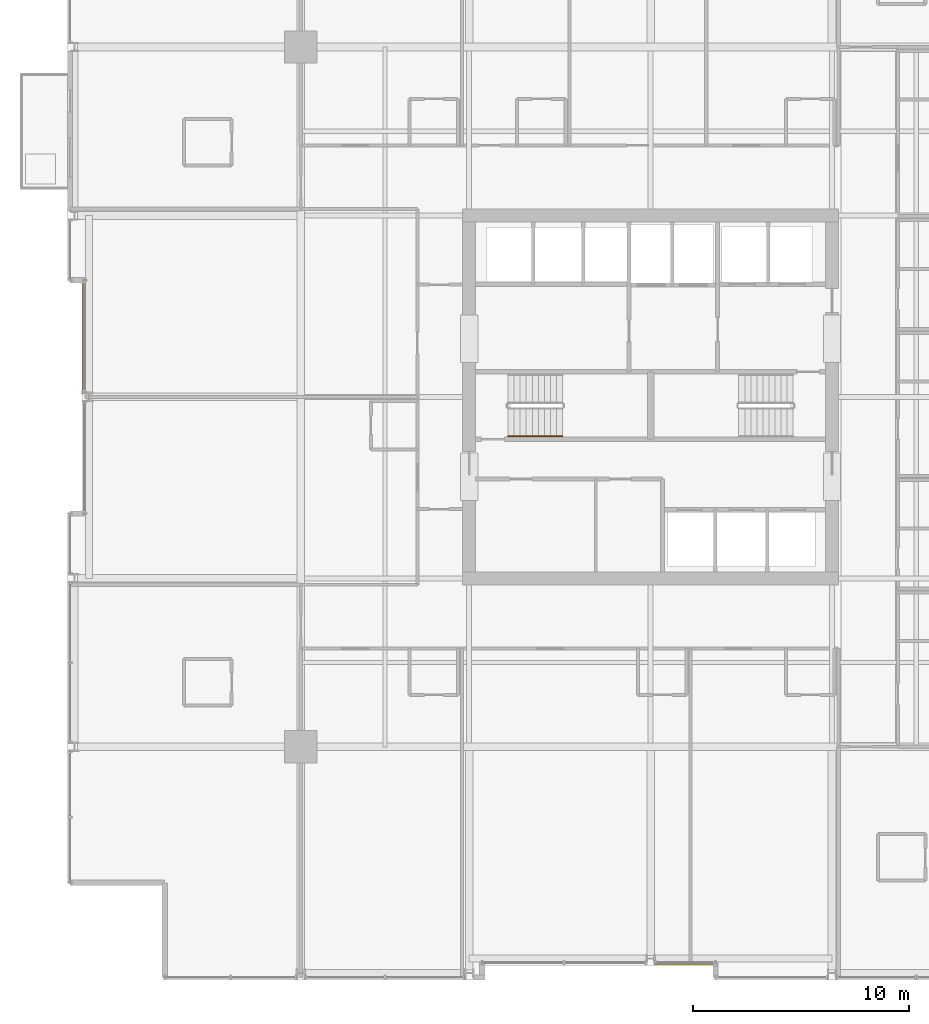
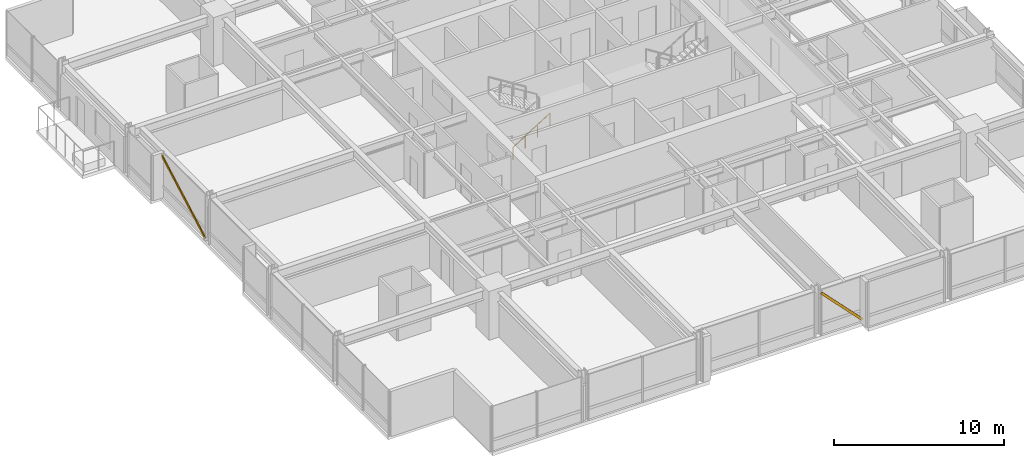
# One storey, part 33 of 35: 2 shading devices, 1 railing.
"""IFC4 building model written with IfcOpenShell, lengths in metres."""

from ifc_helpers import new_model, si_unit, direction, frame, origin, origin_2d, place, context, subcontext, project, spatial, hollow_rectangle, circle, extrude, material, material_profile, profile_set, type_object, element, save


model = new_model("IFC4")

# Units and contexts
model_context = context("Model", 3, precision=1e-05, world=origin(), true_north=direction((0.0, 1.0)))
body_context = subcontext(model_context, "Body", "Model", "MODEL_VIEW")
ifc_project = project(units=[si_unit("LENGTHUNIT", "METRE"), si_unit("AREAUNIT", "SQUARE_METRE"), si_unit("VOLUMEUNIT", "CUBIC_METRE"), si_unit("PLANEANGLEUNIT", "RADIAN"), si_unit("MASSUNIT", "GRAM", prefix="KILO")], contexts=[model_context])

# Site, building, storey
site_placement = place(None, origin())
site = spatial("IfcSite", under=ifc_project, at=site_placement, CompositionType="ELEMENT")
building_placement = place(site_placement, origin())
building = spatial("IfcBuilding", under=site, at=building_placement, Name="Drelvath Grand Hotel", CompositionType="ELEMENT")
storey_placement = place(building_placement, frame((0.0, 0.0, 130.300048828125)))
storey = spatial("IfcBuildingStorey", under=building, at=storey_placement, Name="L33", CompositionType="ELEMENT", Elevation=130.300048828125)

# Railing
ifc_material_1 = material(Name="Painted Steel S275", Category="steel")
railing_type = type_object("IfcRailingType", Name="Core Stair Wall Handrail 900", PredefinedType="HANDRAIL", material=ifc_material_1)
railing_placement = place(storey_placement, frame((-6.60009765625, 25.169921875, 0.175048828125)))
element("IfcRailing", 1, at=railing_placement, inside=storey, type_object=railing_type, Name="L33 ST-1 stair handrail 1", PredefinedType="HANDRAIL", context=body_context, shape_type="SweptSolid", body=[
    extrude(circle(Radius=0.02392578125, at=origin_2d()), frame((0.0, 0.0, 0.8759765625), z_axis=(0.848007534815, 0.0, 0.529984170421), x_axis=(0.0, 1.0, 0.0)), (0.0, 0.0, 1.0), 2.9716796875),
    extrude(circle(Radius=0.02099609375, at=origin_2d()), origin(), (0.0, 0.0, 1.0), 0.851806640625),
    extrude(circle(Radius=0.02099609375, at=origin_2d()), frame((0.840087890625, 0.0, 0.52490234375)), (0.0, 0.0, 1.0), 0.851806640625),
    extrude(circle(Radius=0.02099609375, at=origin_2d()), frame((1.679931640625, 0.0, 1.050048828125)), (0.0, 0.0, 1.0), 0.851806640625),
    extrude(circle(Radius=0.02099609375, at=origin_2d()), frame((2.52001953125, 0.0, 1.574951171875)), (0.0, 0.0, 1.0), 0.851806640625),
])

# Shading devices
ifc_material_2 = material(Name="Champagne Bronze Anodised Aluminium", Category="aluminium")
ifc_material_profile = material_profile(ifc_material_2, hollow_rectangle(XDim=0.06494140625, YDim=0.159912109375, WallThickness=0.00390625, at=origin_2d()), Name="HSS160X65X4")
ifc_profile_set = profile_set([ifc_material_profile], Name="Champagne Bronze Anodised Aluminium")
shading_device_type = type_object("IfcShadingDeviceType", Name="Diagonal Solar Fin Champagne Anodised HSS160X65X4", PredefinedType="USERDEFINED", material=ifc_profile_set)
shading_device_1_placement = place(storey_placement, frame((-26.280029296875, 27.20947265625, 0.179931640625), z_axis=(0.0, 0.874403549895, 0.485199373383), x_axis=(-1.0, 0.0, 0.0)))
element("IfcShadingDevice", 2, at=shading_device_1_placement, inside=storey, type_object=shading_device_type, Name="L33 Diagonal Anodised Fin CW03-L33-WM2", ObjectType="FIN", PredefinedType="USERDEFINED", context=body_context, shape_type="SweptSolid", body=[
    extrude(hollow_rectangle(XDim=0.06494140625, YDim=0.159912109375, WallThickness=0.00390625, at=origin_2d()), origin(), (0.0, 0.0, 1.0), 5.93603515625),
])
shading_device_2_placement = place(storey_placement, frame((3.0, 0.719970703125, 0.179931640625), z_axis=(-0.69584722953, 0.0, 0.718189830863), x_axis=(0.0, -1.0, 0.0)))
element("IfcShadingDevice", 3, at=shading_device_2_placement, inside=storey, type_object=shading_device_type, Name="L33 Diagonal Anodised Fin CW03-L33-SM2", ObjectType="FIN", PredefinedType="USERDEFINED", context=body_context, shape_type="SweptSolid", body=[
    extrude(hollow_rectangle(XDim=0.06494140625, YDim=0.159912109375, WallThickness=0.00390625, at=origin_2d()), origin(), (0.0, 0.0, 1.0), 4.01025390625),
])

save(model, "model.ifc")
